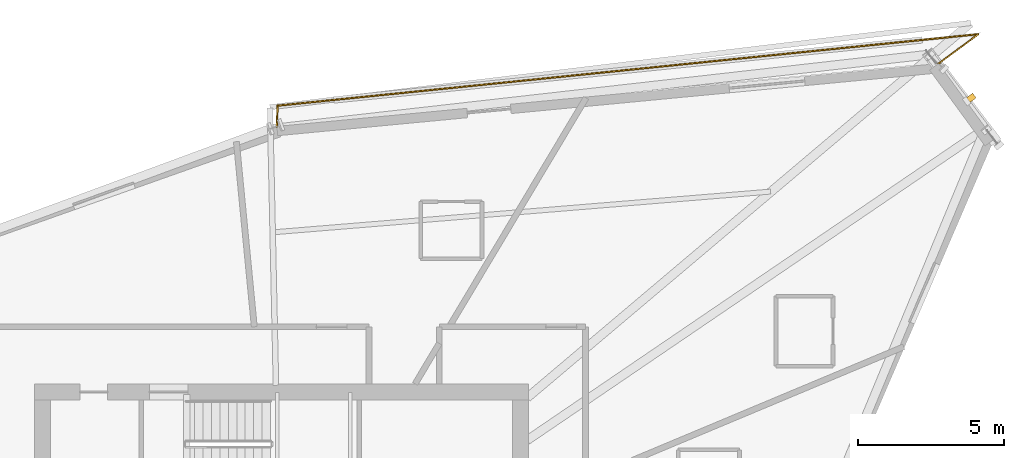
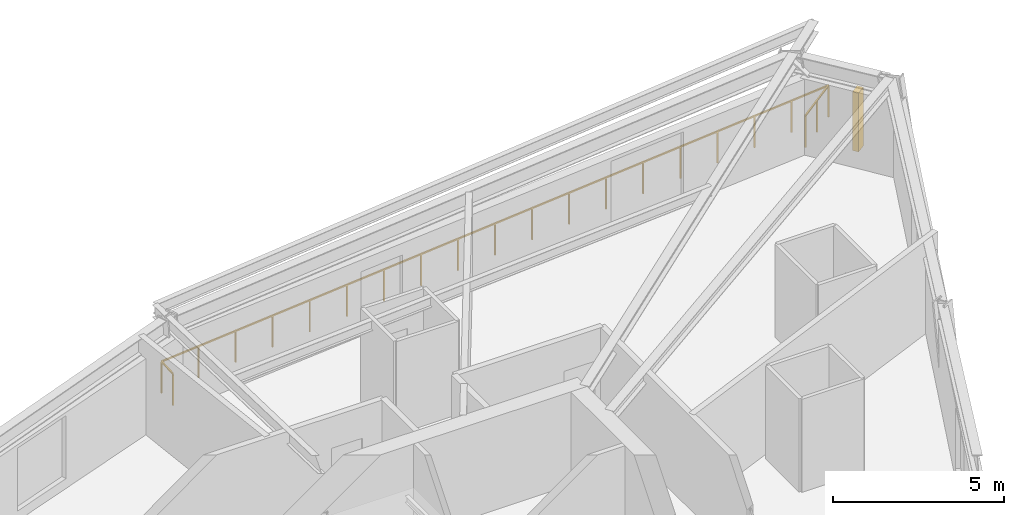
# One storey, part 14 of 14: 1 railing, 1 shading device.
"""IFC4 building model written with IfcOpenShell, lengths in metres."""

from ifc_helpers import new_model, si_unit, direction, frame, origin, origin_2d, place, context, subcontext, project, spatial, rectangle, extrude, source, transform, mapped, material, type_object, element, save


model = new_model("IFC4")

# Units and contexts
model_context = context("Model", 3, precision=1e-05, world=origin(), true_north=direction((0.0, 1.0)))
body_context = subcontext(model_context, "Body", "Model", "MODEL_VIEW")
ifc_project = project(units=[si_unit("LENGTHUNIT", "METRE"), si_unit("AREAUNIT", "SQUARE_METRE"), si_unit("VOLUMEUNIT", "CUBIC_METRE"), si_unit("PLANEANGLEUNIT", "RADIAN"), si_unit("MASSUNIT", "GRAM", prefix="KILO")], contexts=[model_context])

# Site, building, storey
site_placement = place(None, origin())
site = spatial("IfcSite", under=ifc_project, at=site_placement, CompositionType="ELEMENT")
building_placement = place(site_placement, origin())
building = spatial("IfcBuilding", under=site, at=building_placement, Name="Olszyna Solenne Hotel", CompositionType="ELEMENT")
storey_placement = place(building_placement, frame((0.0, 0.0, 182.10009765625)))
storey = spatial("IfcBuildingStorey", under=building, at=storey_placement, Name="L48", CompositionType="ELEMENT", Elevation=182.10009765625)

# Railing
ifc_material_1 = material(Name="Anodised bronze aluminium", Category="aluminium")
railing_type = type_object("IfcRailingType", Name="GR-110", PredefinedType="BALUSTRADE", material=ifc_material_1)
railing_placement = place(storey_placement, frame((60.483642578125, 45.2080078125, 0.0)))
element("IfcRailing", 1, at=railing_placement, inside=storey, type_object=railing_type, Name="Loggia balcony balustrade guard GR-L48-LG1", PredefinedType="BALUSTRADE", context=body_context, shape_type="SweptSolid", body=[
    extrude(rectangle(XDim=0.048095703125, YDim=0.048095703125, at=origin_2d()), frame((0.0, 0.0, 1.1259765625), z_axis=(0.804736560724, 0.593632098049, 0.0), x_axis=(-0.593632098049, 0.804736560724, 0.0)), (0.0, 0.0, 1.0), 1.69189453125),
    extrude(rectangle(XDim=0.048095703125, YDim=0.048095703125, at=origin_2d()), frame((1.361572265625, 1.00439453125, 1.1259765625), z_axis=(-0.99483829562, -0.101472979494, 0.0), x_axis=(0.101472979494, -0.99483829562, 0.0)), (0.0, 0.0, 1.0), 24.10546875),
    extrude(rectangle(XDim=0.048095703125, YDim=0.048095703125, at=origin_2d()), frame((-22.619384765625, -1.441650390625, 1.1259765625), z_axis=(-0.032019398562, -0.9994872476, 0.0), x_axis=(0.9994872476, -0.032019398562, 0.0)), (0.0, 0.0, 1.0), 0.708984375),
    extrude(rectangle(XDim=0.0419921875, YDim=0.0419921875, at=origin_2d()), origin(), (0.0, 0.0, 1.0), 1.101806640625),
    extrude(rectangle(XDim=0.0419921875, YDim=0.0419921875, at=origin_2d()), frame((0.6806640625, 0.502197265625, 0.0)), (0.0, 0.0, 1.0), 1.101806640625),
    extrude(rectangle(XDim=0.0419921875, YDim=0.0419921875, at=origin_2d()), frame((1.361572265625, 1.00439453125, 0.0)), (0.0, 0.0, 1.0), 1.101806640625),
    extrude(rectangle(XDim=0.0419921875, YDim=0.0419921875, at=origin_2d()), frame((0.029296875, 0.868408203125, 0.0)), (0.0, 0.0, 1.0), 1.101806640625),
    extrude(rectangle(XDim=0.0419921875, YDim=0.0419921875, at=origin_2d()), frame((-1.302978515625, 0.732666015625, 0.0)), (0.0, 0.0, 1.0), 1.101806640625),
    extrude(rectangle(XDim=0.0419921875, YDim=0.0419921875, at=origin_2d()), frame((-2.63525390625, 0.5966796875, 0.0)), (0.0, 0.0, 1.0), 1.101806640625),
    extrude(rectangle(XDim=0.0419921875, YDim=0.0419921875, at=origin_2d()), frame((-3.967529296875, 0.4609375, 0.0)), (0.0, 0.0, 1.0), 1.101806640625),
    extrude(rectangle(XDim=0.0419921875, YDim=0.0419921875, at=origin_2d()), frame((-5.2998046875, 0.324951171875, 0.0)), (0.0, 0.0, 1.0), 1.101806640625),
    extrude(rectangle(XDim=0.0419921875, YDim=0.0419921875, at=origin_2d()), frame((-6.632080078125, 0.18896484375, 0.0)), (0.0, 0.0, 1.0), 1.101806640625),
    extrude(rectangle(XDim=0.0419921875, YDim=0.0419921875, at=origin_2d()), frame((-7.96435546875, 0.05322265625, 0.0)), (0.0, 0.0, 1.0), 1.101806640625),
    extrude(rectangle(XDim=0.0419921875, YDim=0.0419921875, at=origin_2d()), frame((-9.296630859375, -0.082763671875, 0.0)), (0.0, 0.0, 1.0), 1.101806640625),
    extrude(rectangle(XDim=0.0419921875, YDim=0.0419921875, at=origin_2d()), frame((-10.62890625, -0.21875, 0.0)), (0.0, 0.0, 1.0), 1.101806640625),
    extrude(rectangle(XDim=0.0419921875, YDim=0.0419921875, at=origin_2d()), frame((-11.961181640625, -0.3544921875, 0.0)), (0.0, 0.0, 1.0), 1.101806640625),
    extrude(rectangle(XDim=0.0419921875, YDim=0.0419921875, at=origin_2d()), frame((-13.29345703125, -0.490478515625, 0.0)), (0.0, 0.0, 1.0), 1.101806640625),
    extrude(rectangle(XDim=0.0419921875, YDim=0.0419921875, at=origin_2d()), frame((-14.625732421875, -0.626220703125, 0.0)), (0.0, 0.0, 1.0), 1.101806640625),
    extrude(rectangle(XDim=0.0419921875, YDim=0.0419921875, at=origin_2d()), frame((-15.9580078125, -0.76220703125, 0.0)), (0.0, 0.0, 1.0), 1.101806640625),
    extrude(rectangle(XDim=0.0419921875, YDim=0.0419921875, at=origin_2d()), frame((-17.290283203125, -0.898193359375, 0.0)), (0.0, 0.0, 1.0), 1.101806640625),
    extrude(rectangle(XDim=0.0419921875, YDim=0.0419921875, at=origin_2d()), frame((-18.62255859375, -1.033935546875, 0.0)), (0.0, 0.0, 1.0), 1.101806640625),
    extrude(rectangle(XDim=0.0419921875, YDim=0.0419921875, at=origin_2d()), frame((-19.954833984375, -1.169921875, 0.0)), (0.0, 0.0, 1.0), 1.101806640625),
    extrude(rectangle(XDim=0.0419921875, YDim=0.0419921875, at=origin_2d()), frame((-21.287109375, -1.3056640625, 0.0)), (0.0, 0.0, 1.0), 1.101806640625),
    extrude(rectangle(XDim=0.0419921875, YDim=0.0419921875, at=origin_2d()), frame((-22.619384765625, -1.441650390625, 0.0)), (0.0, 0.0, 1.0), 1.101806640625),
    extrude(rectangle(XDim=0.0419921875, YDim=0.0419921875, at=origin_2d()), frame((-22.64208984375, -2.150390625, 0.0)), (0.0, 0.0, 1.0), 1.101806640625),
])

# Shading device
ifc_material_2 = material(Name="Terracotta cladding", Category="masonry")
shading_device_type = type_object("IfcShadingDeviceType", Name="SH-FN1", PredefinedType="USERDEFINED", material=ifc_material_2)
shared_shape = source(origin(), body_context, "Body", "SweptSolid", [
    extrude(rectangle(XDim=0.199951171875, YDim=0.35009765625, at=origin_2d()), origin(), (0.0, 0.0, 1.0), 2.10009765625),
])
shading_device_placement = place(storey_placement, frame((61.569091796875, 44.010498046875, 0.310791015625), z_axis=(0.0, 0.0, 1.0), x_axis=(0.589901237104, -0.807475405485, 0.0)))
element("IfcShadingDevice", 2, at=shading_device_placement, inside=storey, type_object=shading_device_type, Name="Chamfer wind-corner terracotta fin FN-L48-09", ObjectType="FIN", PredefinedType="USERDEFINED", context=body_context, shape_type="MappedRepresentation", body=[
    mapped(shared_shape, transform((0.0, 0.0, 0.0), x_axis=(1.0, 0.0, 0.0), y_axis=(0.0, 1.0, 0.0), z_axis=(0.0, 0.0, 1.0), scale=1.0)),
])

save(model, "model.ifc")
